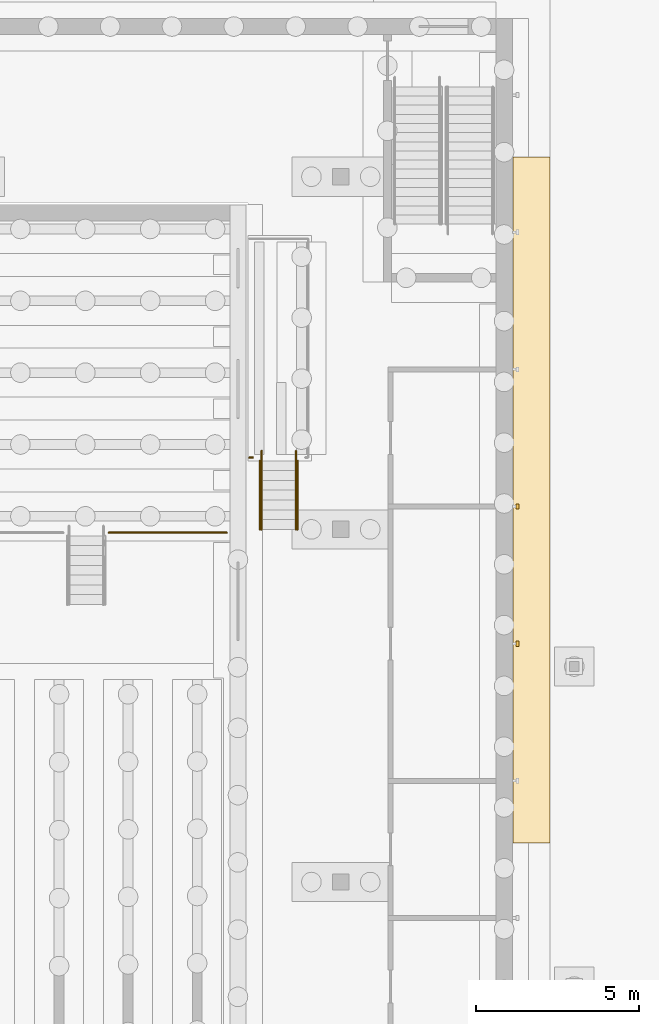
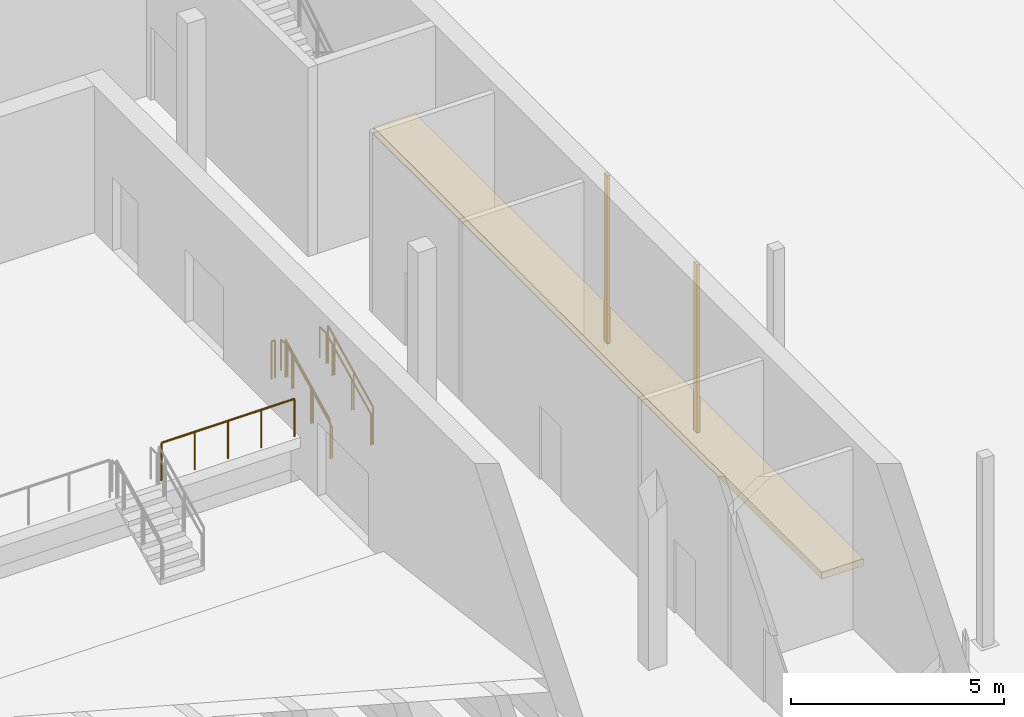
# One storey, part 97 of 127: 6 railings, 2 shading devices, 1 covering.
"""IFC4 building model written with IfcOpenShell, lengths in metres."""

from ifc_helpers import new_model, si_unit, direction, frame, origin, origin_2d, place, context, subcontext, project, spatial, polyline, rectangle, circle, outline, extrude, material, layer, layer_set, type_object, element, save


model = new_model("IFC4")

# Units and contexts
model_context = context("Model", 3, precision=1e-05, world=origin(), true_north=direction((0.0, 1.0)))
body_context = subcontext(model_context, "Body", "Model", "MODEL_VIEW")
ifc_project = project(units=[si_unit("LENGTHUNIT", "METRE"), si_unit("AREAUNIT", "SQUARE_METRE"), si_unit("VOLUMEUNIT", "CUBIC_METRE"), si_unit("PLANEANGLEUNIT", "RADIAN"), si_unit("MASSUNIT", "GRAM", prefix="KILO")], contexts=[model_context])

# Site, building, storey
site_placement = place(None, origin())
site = spatial("IfcSite", under=ifc_project, at=site_placement, CompositionType="ELEMENT")
building_placement = place(site_placement, origin())
building = spatial("IfcBuilding", under=site, at=building_placement, Name="Ljudholm Concert House", CompositionType="ELEMENT")
storey_placement = place(building_placement, origin())
storey = spatial("IfcBuildingStorey", under=building, at=storey_placement, Name="L00", CompositionType="ELEMENT", Elevation=0.0)

# Shading devices
ifc_material_1 = material(Name="Aluminium extrusion with timber-grain PVDF finish", Category="aluminium")
shading_device_type = type_object("IfcShadingDeviceType", Name="FACADE FIN 80x160", PredefinedType="SHUTTER", material=ifc_material_1)
for number, where, z_axis, x_axis, name in (
    (1, (46.409912109375, 27.10009765625, 0.2998046875), (0.0, 0.0, 1.0), (1.0, 0.0, 0.0), "Facade fin"),
    (2, (46.409912109375, 31.300048828125, 0.2998046875), (0.0, 0.0, 1.0), (1.0, 0.0, 0.0), "Facade fin"),
):
    element("IfcShadingDevice", number, at=place(storey_placement, frame(where, z_axis=z_axis, x_axis=x_axis)), inside=storey, type_object=shading_device_type, Name=name, PredefinedType="SHUTTER", context=body_context, shape_type="SweptSolid", body=[
        extrude(rectangle(XDim=0.080078125, YDim=0.159912109375, at=origin_2d()), origin(), (0.0, 0.0, 1.0), 4.800048828125),
    ])

# Railings
ifc_material_2 = material(Name="Steel ASTM A36", Category="steel")
railing_type_1 = type_object("IfcRailingType", Name="GUARD 1100", PredefinedType="GUARDRAIL", material=ifc_material_2)
railing_1_placement = place(storey_placement, frame((33.89990234375, 30.5, 1.199951171875)))
element("IfcRailing", 3, at=railing_1_placement, inside=storey, type_object=railing_type_1, Name="Platform guard", PredefinedType="GUARDRAIL", context=body_context, shape_type="SweptSolid", body=[
    extrude(circle(Radius=0.02490234375, at=origin_2d()), frame((0.0, 0.0, 1.0751953125), z_axis=(1.0, 0.0, 0.0), x_axis=(0.0, 1.0, 0.0)), (0.0, 0.0, 1.0), 3.60009765625),
    extrude(circle(Radius=0.02099609375, at=origin_2d()), origin(), (0.0, 0.0, 1.0), 1.050048828125),
    extrude(circle(Radius=0.02099609375, at=origin_2d()), frame((0.89990234375, 0.0, 0.0)), (0.0, 0.0, 1.0), 1.050048828125),
    extrude(circle(Radius=0.02099609375, at=origin_2d()), frame((1.800048828125, 0.0, 0.0)), (0.0, 0.0, 1.0), 1.050048828125),
    extrude(circle(Radius=0.02099609375, at=origin_2d()), frame((2.7001953125, 0.0, 0.0)), (0.0, 0.0, 1.0), 1.050048828125),
    extrude(circle(Radius=0.02099609375, at=origin_2d()), frame((3.60009765625, 0.0, 0.0)), (0.0, 0.0, 1.0), 1.050048828125),
])
railing_2_placement = place(storey_placement, frame((38.199951171875, 32.800048828125, 1.199951171875)))
element("IfcRailing", 4, at=railing_2_placement, inside=storey, type_object=railing_type_1, Name="Landing guard", PredefinedType="GUARDRAIL", context=body_context, shape_type="SweptSolid", body=[
    extrude(circle(Radius=0.02490234375, at=origin_2d()), frame((0.0, 0.0, 1.0751953125), z_axis=(1.0, 0.0, 0.0), x_axis=(0.0, 1.0, 0.0)), (0.0, 0.0, 1.0), 0.10009765625),
    extrude(circle(Radius=0.02099609375, at=origin_2d()), origin(), (0.0, 0.0, 1.0), 1.050048828125),
    extrude(circle(Radius=0.02099609375, at=origin_2d()), frame((0.10009765625, 0.0, 0.0)), (0.0, 0.0, 1.0), 1.050048828125),
])
for number, where, name in (
    (5, (38.52490234375, 30.60009765625, 0.14990234375), "Guard"),
    (6, (39.675048828125, 30.60009765625, 0.14990234375), "Guard"),
):
    element("IfcRailing", number, at=place(storey_placement, frame(where)), inside=storey, type_object=railing_type_1, Name=name, PredefinedType="GUARDRAIL", context=body_context, shape_type="SweptSolid", body=[
        extrude(circle(Radius=0.02490234375, at=origin_2d()), frame((0.0, 0.0, 1.0751953125), z_axis=(0.0, 0.894330118379, 0.447407688088), x_axis=(-1.0, 0.0, 0.0)), (0.0, 0.0, 1.0), 1.00634765625),
        extrude(circle(Radius=0.02490234375, at=origin_2d()), frame((0.0, 0.89990234375, 1.525390625), z_axis=(0.0, 0.894427191, 0.4472135955), x_axis=(-1.0, 0.0, 0.0)), (0.0, 0.0, 1.0), 1.006103515625),
        extrude(circle(Radius=0.02490234375, at=origin_2d()), frame((0.0, 1.7998046875, 1.97509765625), z_axis=(0.0, 0.894572720946, 0.446922417137), x_axis=(-1.0, 0.0, 0.0)), (0.0, 0.0, 1.0), 0.33544921875),
        extrude(circle(Radius=0.02099609375, at=origin_2d()), origin(), (0.0, 0.0, 1.0), 1.050048828125),
        extrude(circle(Radius=0.02099609375, at=origin_2d()), frame((0.0, 0.89990234375, 0.4501953125)), (0.0, 0.0, 1.0), 1.050048828125),
        extrude(circle(Radius=0.02099609375, at=origin_2d()), frame((0.0, 1.7998046875, 0.900146484375)), (0.0, 0.0, 1.0), 1.050048828125),
        extrude(circle(Radius=0.02099609375, at=origin_2d()), frame((0.0, 2.099853515625, 1.050048828125)), (0.0, 0.0, 1.0), 1.050048828125),
    ])
ifc_material_3 = material(Name="Steel ASTM A36", Category="steel")
railing_type_2 = type_object("IfcRailingType", Name="HANDRAIL 900", PredefinedType="HANDRAIL", material=ifc_material_3)
for number, where, name in (
    (7, (38.574951171875, 30.60009765625, 0.14990234375), "Handrail"),
    (8, (39.625, 30.60009765625, 0.14990234375), "Handrail"),
):
    element("IfcRailing", number, at=place(storey_placement, frame(where)), inside=storey, type_object=railing_type_2, Name=name, PredefinedType="HANDRAIL", context=body_context, shape_type="SweptSolid", body=[
        extrude(circle(Radius=0.0224609375, at=origin_2d()), frame((0.0, 0.0, 0.87744140625), z_axis=(0.0, 0.894330118379, 0.447407688088), x_axis=(-1.0, 0.0, 0.0)), (0.0, 0.0, 1.0), 1.00634765625),
        extrude(circle(Radius=0.0224609375, at=origin_2d()), frame((0.0, 0.89990234375, 1.32763671875), z_axis=(0.0, 0.894427191, 0.4472135955), x_axis=(-1.0, 0.0, 0.0)), (0.0, 0.0, 1.0), 1.006103515625),
        extrude(circle(Radius=0.0224609375, at=origin_2d()), frame((0.0, 1.7998046875, 1.777587890625), z_axis=(0.0, 0.894572720946, 0.446922417137), x_axis=(-1.0, 0.0, 0.0)), (0.0, 0.0, 1.0), 0.33544921875),
        extrude(circle(Radius=0.0224609375, at=origin_2d()), frame((0.0, 2.099853515625, 1.927490234375), z_axis=(0.0, 1.0, 0.0), x_axis=(-1.0, 0.0, 0.0)), (0.0, 0.0, 1.0), 0.300048828125),
        extrude(circle(Radius=0.02099609375, at=origin_2d()), origin(), (0.0, 0.0, 1.0), 0.85498046875),
        extrude(circle(Radius=0.02099609375, at=origin_2d()), frame((0.0, 0.89990234375, 0.4501953125)), (0.0, 0.0, 1.0), 0.85498046875),
        extrude(circle(Radius=0.02099609375, at=origin_2d()), frame((0.0, 1.7998046875, 0.900146484375)), (0.0, 0.0, 1.0), 0.85498046875),
        extrude(circle(Radius=0.02099609375, at=origin_2d()), frame((0.0, 2.099853515625, 1.050048828125)), (0.0, 0.0, 1.0), 0.85498046875),
        extrude(circle(Radius=0.02099609375, at=origin_2d()), frame((0.0, 2.39990234375, 1.050048828125)), (0.0, 0.0, 1.0), 0.85498046875),
    ])

# Covering
ifc_material_4 = material(Name="Precast concrete pavers on compacted sand bed", Category="concrete")
ifc_layer = layer(ifc_material_4, 0.199951171875)
ifc_layer_set = layer_set([ifc_layer], Name="Precast concrete pavers on compacted sand bed")
covering_type = type_object("IfcCoveringType", Name="PRECAST CONCRETE PAVERS ON COMPACTED SAND BED PAVING 200", PredefinedType="USERDEFINED", material=ifc_layer_set)
covering_placement = place(storey_placement, frame((0.0, 0.0, -0.199951171875)))
element("IfcCovering", 9, at=covering_placement, inside=storey, type_object=covering_type, Name="Paving", ObjectType="PAVING", PredefinedType="USERDEFINED", context=body_context, shape_type="SweptSolid", body=[
    extrude(outline(polyline([(46.27001953125, 42.0), (47.39990234375, 42.0), (47.39990234375, 21.0), (46.27001953125, 21.0), (46.27001953125, 42.0)])), origin(), (0.0, 0.0, 1.0), 0.199951171875),
])

save(model, "model.ifc")
